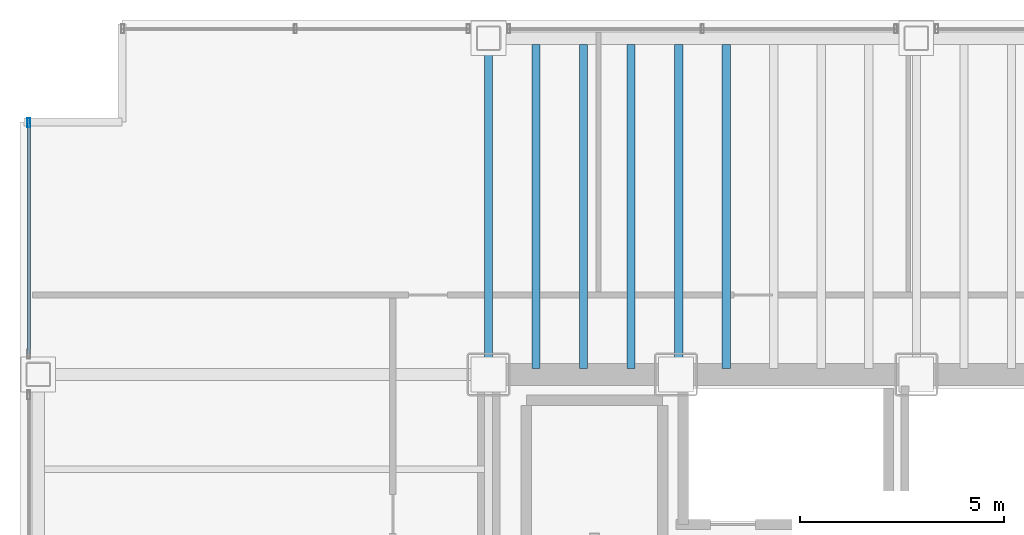
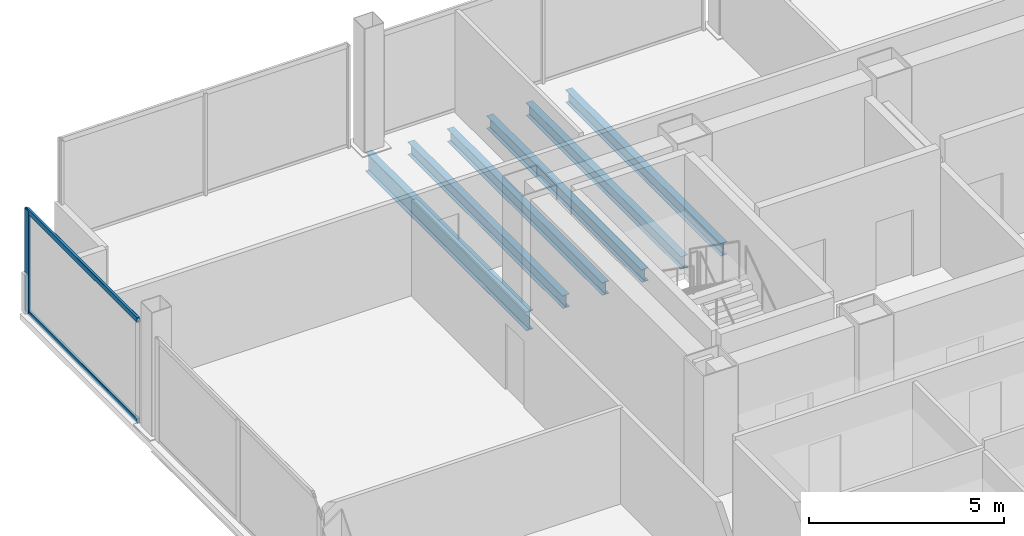
# One storey, part 7 of 21: 6 beams, 3 members, 1 element without a shape of its own.
"""IFC4 building model written with IfcOpenShell, lengths in metres."""

from ifc_helpers import new_model, si_unit, direction, frame, origin, origin_2d, place, context, subcontext, project, spatial, hollow_rectangle, i_section, extrude, material, material_profile, profile_set, type_object, element, aggregate, save


model = new_model("IFC4")

# Units and contexts
model_context = context("Model", 3, precision=1e-05, world=origin(), true_north=direction((0.0, 1.0)))
body_context = subcontext(model_context, "Body", "Model", "MODEL_VIEW")
ifc_project = project(units=[si_unit("LENGTHUNIT", "METRE"), si_unit("AREAUNIT", "SQUARE_METRE"), si_unit("VOLUMEUNIT", "CUBIC_METRE"), si_unit("PLANEANGLEUNIT", "RADIAN"), si_unit("MASSUNIT", "GRAM", prefix="KILO")], contexts=[model_context])

# Site, building, storey
site_placement = place(None, origin())
site = spatial("IfcSite", under=ifc_project, at=site_placement, CompositionType="ELEMENT")
building_placement = place(site_placement, origin())
building = spatial("IfcBuilding", under=site, at=building_placement, Name="Noeulbin Bourse Tower", CompositionType="ELEMENT")
storey_placement = place(building_placement, frame((0.0, 0.0, 46.0)))
storey = spatial("IfcBuildingStorey", under=building, at=storey_placement, Name="L11", CompositionType="ELEMENT", Elevation=46.0)

# Beams
ifc_material_1 = material(Name="Steel S355", Category="steel")
ifc_material_profile_1 = material_profile(ifc_material_1, i_section(OverallWidth=0.199951171875, OverallDepth=0.60009765625, WebThickness=0.010986328125, FlangeThickness=0.01708984375, FilletRadius=0.02197265625, at=origin_2d()), Name="H-600x200x11x17", Category="LoadBearing")
ifc_profile_set_1 = profile_set([ifc_material_profile_1], Name="Steel S355")
beam_type_1 = type_object("IfcBeamType", Name="BM-GRD-600", PredefinedType="USERDEFINED", material=ifc_profile_set_1)
beam_placement = place(storey_placement, frame((13.5, 38.300048828125, -0.47998046875), z_axis=(0.0, 1.0, 0.0), x_axis=(-1.0, 0.0, 0.0)))
element("IfcBeam", 1, at=beam_placement, inside=storey, type_object=beam_type_1, Name="Tower Primary Girder NS L11-1.4", ObjectType="GIRDER", PredefinedType="USERDEFINED", context=body_context, shape_type="SweptSolid", body=[
    extrude(i_section(OverallWidth=0.199951171875, OverallDepth=0.60009765625, WebThickness=0.010986328125, FlangeThickness=0.01708984375, FilletRadius=0.02197265625, at=origin_2d()), origin(), (0.0, 0.0, 1.0), 8.25),
])
ifc_material_profile_2 = material_profile(ifc_material_1, i_section(OverallWidth=0.199951171875, OverallDepth=0.39990234375, WebThickness=0.008056640625, FlangeThickness=0.012939453125, FilletRadius=0.01611328125, at=origin_2d()), Name="H-400x200x8x13", Category="LoadBearing")
ifc_profile_set_2 = profile_set([ifc_material_profile_2], Name="Steel S355")
beam_type_2 = type_object("IfcBeamType", Name="BM-SEC-400", PredefinedType="BEAM", material=ifc_profile_set_2)
for number, where, z_axis, x_axis, name in (
    (2, (14.666748046875, 38.449951171875, -0.3798828125), (0.0, 1.0, 0.0), (-1.0, 0.0, 0.0), "Tower Composite Joist L11-03"),
    (3, (15.833251953125, 38.449951171875, -0.3798828125), (0.0, 1.0, 0.0), (-1.0, 0.0, 0.0), "Tower Composite Joist L11-06"),
    (4, (17.0, 38.449951171875, -0.3798828125), (0.0, 1.0, 0.0), (-1.0, 0.0, 0.0), "Tower Composite Joist L11-09"),
    (5, (18.166748046875, 38.449951171875, -0.3798828125), (0.0, 1.0, 0.0), (-1.0, 0.0, 0.0), "Tower Composite Joist L11-12"),
    (6, (19.333251953125, 38.449951171875, -0.3798828125), (0.0, 1.0, 0.0), (-1.0, 0.0, 0.0), "Tower Composite Joist L11-15"),
):
    element("IfcBeam", number, at=place(storey_placement, frame(where, z_axis=z_axis, x_axis=x_axis)), inside=storey, type_object=beam_type_2, Name=name, PredefinedType="BEAM", context=body_context, shape_type="SweptSolid", body=[
        extrude(i_section(OverallWidth=0.199951171875, OverallDepth=0.39990234375, WebThickness=0.008056640625, FlangeThickness=0.012939453125, FilletRadius=0.01611328125, at=origin_2d()), origin(), (0.0, 0.0, 1.0), 7.949951171875),
    ])

# Curtain wall, members
ifc_material_2 = material(Name="Dark Solar-Control Double Glazing", Category="glass")
curtain_wall_type = type_object("IfcCurtainWallType", Name="CW-SYS-2", PredefinedType="NOTDEFINED", material=ifc_material_2)
curtain_wall_placement = place(storey_placement, origin())
curtain_wall = element("IfcCurtainWall", 7, at=curtain_wall_placement, inside=storey, type_object=curtain_wall_type, Name="Unitised Curtain Wall CW-L11-W-S4", PredefinedType="NOTDEFINED")
ifc_material_3 = material(Name="Anodised Aluminium 6063-T6", Category="aluminium")
ifc_material_profile_3 = material_profile(ifc_material_3, hollow_rectangle(XDim=0.074951171875, YDim=0.219970703125, WallThickness=0.0048828125, InnerFilletRadius=0.00244140625, OuterFilletRadius=0.0048828125, at=origin_2d()), Name="ALU-MULL-75x220x5", Category="LoadBearing")
ifc_profile_set_3 = profile_set([ifc_material_profile_3], Name="Anodised Aluminium 6063-T6")
member_type_1 = type_object("IfcMemberType", Name="CW-SYS-2-MUL", PredefinedType="MULLION", material=ifc_profile_set_3)
member_1_placement = place(storey_placement, frame((2.219970703125, 44.47998046875, -0.02001953125), z_axis=(0.0, 0.0, 1.0), x_axis=(1.0, 0.0, 0.0)))
member_1 = element("IfcMember", 8, at=member_1_placement, type_object=member_type_1, Name="Curtain Wall Mullion CW-L11-W-S4-M01", PredefinedType="MULLION", context=body_context, shape_type="SweptSolid", body=[
    extrude(hollow_rectangle(XDim=0.074951171875, YDim=0.219970703125, WallThickness=0.0048828125, InnerFilletRadius=0.00244140625, OuterFilletRadius=0.0048828125, at=origin_2d()), origin(), (0.0, 0.0, 1.0), 3.219970703125),
])
ifc_material_profile_4 = material_profile(ifc_material_3, hollow_rectangle(XDim=0.074951171875, YDim=0.159912109375, WallThickness=0.0048828125, InnerFilletRadius=0.00244140625, OuterFilletRadius=0.0048828125, at=origin_2d()), Name="ALU-TRAN-75x160x5", Category="LoadBearing")
ifc_profile_set_4 = profile_set([ifc_material_profile_4], Name="Anodised Aluminium 6063-T6")
member_type_2 = type_object("IfcMemberType", Name="CW-SYS-2-TRN", PredefinedType="USERDEFINED", material=ifc_profile_set_4)
member_2_placement = place(storey_placement, frame((2.219970703125, 38.81005859375, 0.010009765625), z_axis=(0.0, 1.0, 0.0), x_axis=(-1.0, 0.0, 0.0)))
member_2 = element("IfcMember", 9, at=member_2_placement, type_object=member_type_2, Name="Curtain Wall Transom CW-L11-W-S4-T00", ObjectType="TRANSOM", PredefinedType="USERDEFINED", context=body_context, shape_type="SweptSolid", body=[
    extrude(hollow_rectangle(XDim=0.074951171875, YDim=0.159912109375, WallThickness=0.0048828125, InnerFilletRadius=0.00244140625, OuterFilletRadius=0.0048828125, at=origin_2d()), origin(), (0.0, 0.0, 1.0), 5.659912109375),
])
member_3_placement = place(storey_placement, frame((2.219970703125, 38.81005859375, 3.169921875), z_axis=(0.0, 1.0, 0.0), x_axis=(-1.0, 0.0, 0.0)))
member_3 = element("IfcMember", 10, at=member_3_placement, type_object=member_type_2, Name="Curtain Wall Transom CW-L11-W-S4-T01", ObjectType="TRANSOM", PredefinedType="USERDEFINED", context=body_context, shape_type="SweptSolid", body=[
    extrude(hollow_rectangle(XDim=0.074951171875, YDim=0.159912109375, WallThickness=0.0048828125, InnerFilletRadius=0.00244140625, OuterFilletRadius=0.0048828125, at=origin_2d()), origin(), (0.0, 0.0, 1.0), 5.659912109375),
])
aggregate(curtain_wall, [member_1, member_2, member_3])

save(model, "model.ifc")
